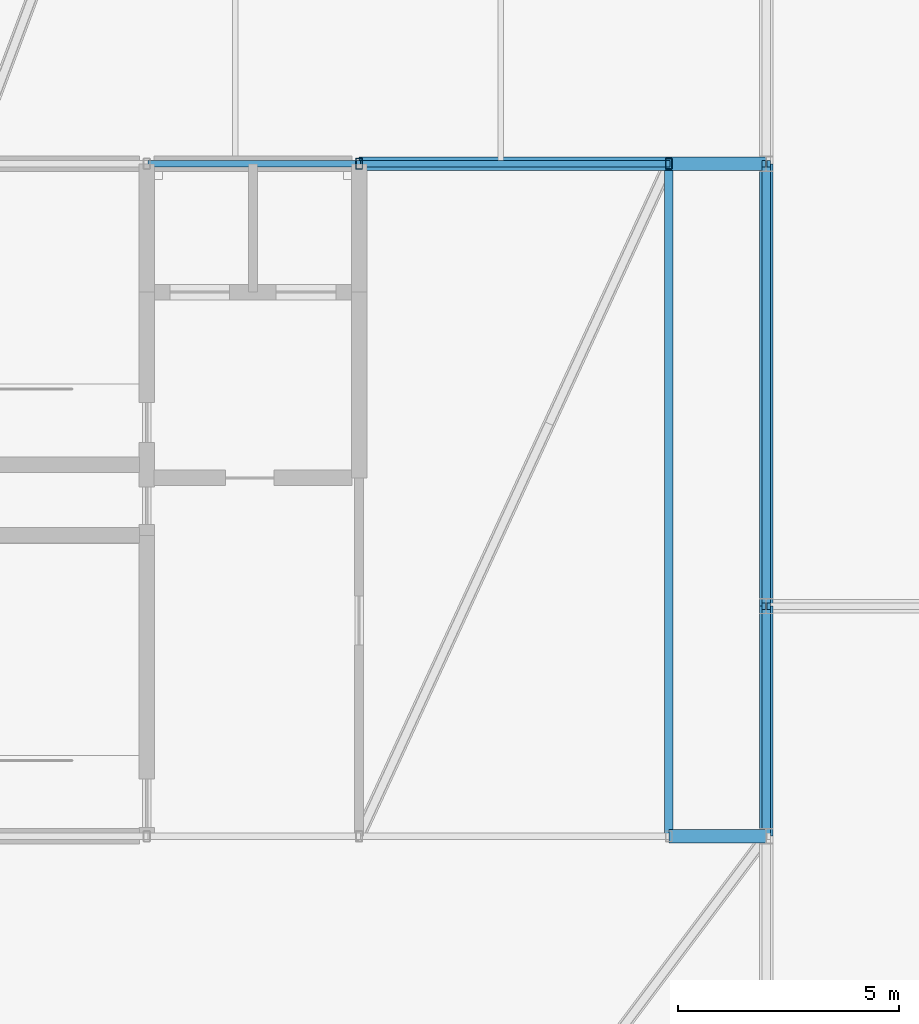
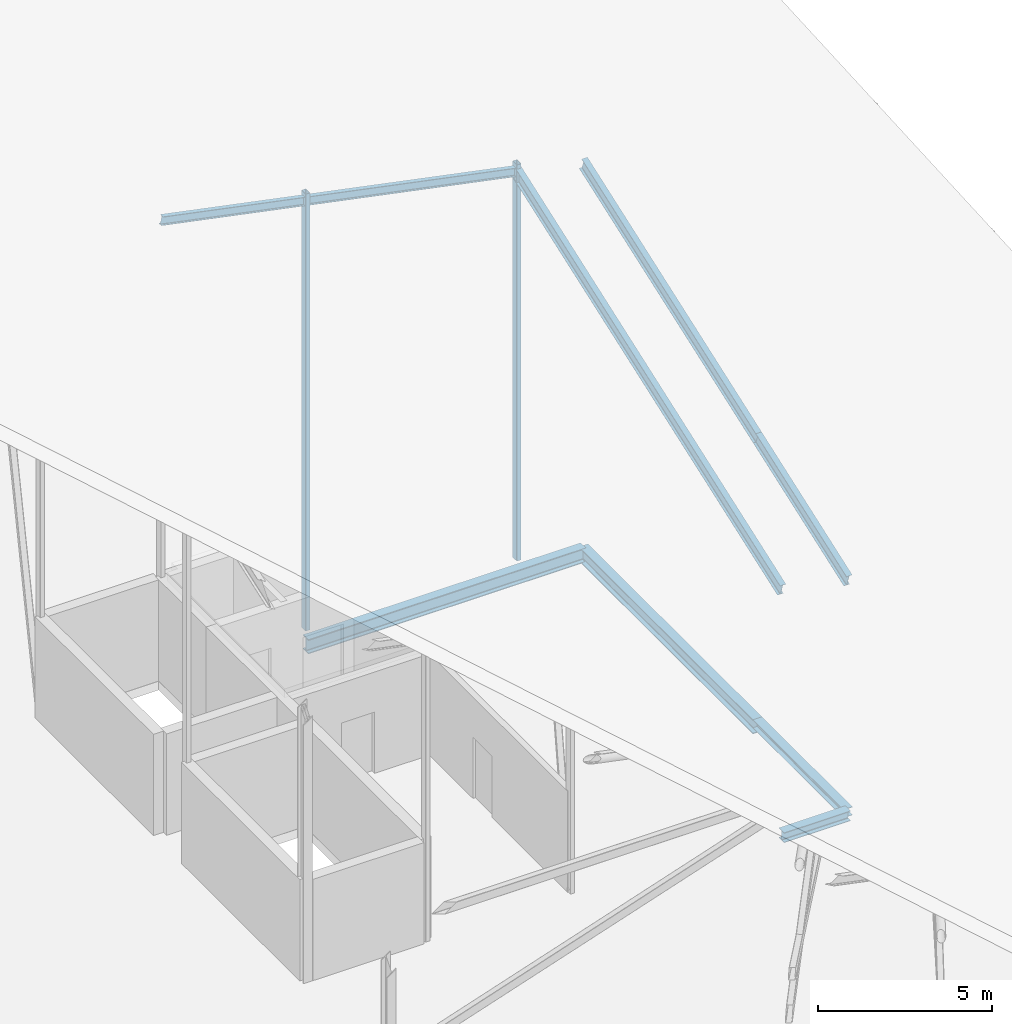
# One storey, part 19 of 74: 7 members, 4 beams.
"""IFC4 building model written with IfcOpenShell, lengths in metres."""

from ifc_helpers import new_model, si_unit, direction, frame, origin, origin_2d, place, context, subcontext, project, spatial, hollow_rectangle, i_section, extrude, material, material_profile, profile_set, type_object, element, save


model = new_model("IFC4")

# Units and contexts
model_context = context("Model", 3, precision=1e-05, world=origin(), true_north=direction((0.0, 1.0)))
body_context = subcontext(model_context, "Body", "Model", "MODEL_VIEW")
ifc_project = project(units=[si_unit("LENGTHUNIT", "METRE"), si_unit("AREAUNIT", "SQUARE_METRE"), si_unit("VOLUMEUNIT", "CUBIC_METRE"), si_unit("PLANEANGLEUNIT", "RADIAN"), si_unit("MASSUNIT", "GRAM", prefix="KILO")], contexts=[model_context])

# Site, building, storey
site_placement = place(None, origin())
site = spatial("IfcSite", under=ifc_project, at=site_placement, CompositionType="ELEMENT")
building_placement = place(site_placement, origin())
building = spatial("IfcBuilding", under=site, at=building_placement, Name="Keshet Zoharim Tower", CompositionType="ELEMENT")
storey_placement = place(building_placement, frame((0.0, 0.0, 320.0)))
storey = spatial("IfcBuildingStorey", under=building, at=storey_placement, Name="RF", CompositionType="ELEMENT", Elevation=320.0)

# Beams
ifc_material = material(Name="Steel S355", Category="steel")
ifc_material_profile_1 = material_profile(ifc_material, i_section(OverallWidth=0.300048828125, OverallDepth=0.5, WebThickness=0.014404296875, FlangeThickness=0.028076171875, FilletRadius=0.027099609375, at=origin_2d()), Name="HEB500")
ifc_profile_set_1 = profile_set([ifc_material_profile_1], Name="Steel S355")
beam_type_1 = type_object("IfcBeamType", Name="BM-MED-HB500", PredefinedType="BEAM", material=ifc_profile_set_1)
beam_1_placement = place(storey_placement, frame((23.800048828125, 37.89990234375, -0.56005859375), z_axis=(1.0, 0.0, 0.0), x_axis=(0.0, 1.0, 0.0)))
element("IfcBeam", 1, at=beam_1_placement, inside=storey, type_object=beam_type_1, Name="RF Primary Girder X-010", PredefinedType="BEAM", context=body_context, shape_type="SweptSolid", body=[
    extrude(i_section(OverallWidth=0.300048828125, OverallDepth=0.5, WebThickness=0.014404296875, FlangeThickness=0.028076171875, FilletRadius=0.027099609375, at=origin_2d()), origin(), (0.0, 0.0, 1.0), 9.199951171875),
])
beam_2_placement = place(storey_placement, frame((33.0, 27.89990234375, -0.56005859375), z_axis=(0.0, 1.0, 0.0), x_axis=(-1.0, 0.0, 0.0)))
element("IfcBeam", 2, at=beam_2_placement, inside=storey, type_object=beam_type_1, Name="RF Primary Girder Y-008", PredefinedType="BEAM", context=body_context, shape_type="SweptSolid", body=[
    extrude(i_section(OverallWidth=0.300048828125, OverallDepth=0.5, WebThickness=0.014404296875, FlangeThickness=0.028076171875, FilletRadius=0.027099609375, at=origin_2d()), origin(), (0.0, 0.0, 1.0), 10.0),
])
ifc_material_profile_2 = material_profile(ifc_material, i_section(OverallWidth=0.300048828125, OverallDepth=0.2900390625, WebThickness=0.008544921875, FlangeThickness=0.013916015625, FilletRadius=0.027099609375, at=origin_2d()), Name="HEA300")
ifc_profile_set_2 = profile_set([ifc_material_profile_2], Name="Steel S355")
beam_type_2 = type_object("IfcBeamType", Name="BM-PRI-HA300", PredefinedType="BEAM", material=ifc_profile_set_2)
beam_3_placement = place(storey_placement, frame((33.0, 22.699951171875, -0.455078125), z_axis=(0.0, 1.0, 0.0), x_axis=(-1.0, 0.0, 0.0)))
element("IfcBeam", 3, at=beam_3_placement, inside=storey, type_object=beam_type_2, Name="RF Primary Girder Y-007", PredefinedType="BEAM", context=body_context, shape_type="SweptSolid", body=[
    extrude(i_section(OverallWidth=0.300048828125, OverallDepth=0.2900390625, WebThickness=0.008544921875, FlangeThickness=0.013916015625, FilletRadius=0.027099609375, at=origin_2d()), origin(), (0.0, 0.0, 1.0), 5.199951171875),
])
ifc_material_profile_3 = material_profile(ifc_material, i_section(OverallWidth=0.300048828125, OverallDepth=0.35009765625, WebThickness=0.010009765625, FlangeThickness=0.017578125, FilletRadius=0.027099609375, at=origin_2d()), Name="HEA360")
ifc_profile_set_3 = profile_set([ifc_material_profile_3], Name="Steel S355")
beam_type_3 = type_object("IfcBeamType", Name="BM-PRI-HA360", PredefinedType="BEAM", material=ifc_profile_set_3)
beam_4_placement = place(storey_placement, frame((30.800048828125, 22.699951171875, -0.485107421875), z_axis=(1.0, 0.0, 0.0), x_axis=(0.0, 1.0, 0.0)))
element("IfcBeam", 4, at=beam_4_placement, inside=storey, type_object=beam_type_3, Name="RF Primary Girder X-007", PredefinedType="BEAM", context=body_context, shape_type="SweptSolid", body=[
    extrude(i_section(OverallWidth=0.300048828125, OverallDepth=0.35009765625, WebThickness=0.010009765625, FlangeThickness=0.017578125, FilletRadius=0.027099609375, at=origin_2d()), origin(), (0.0, 0.0, 1.0), 2.199951171875),
])

# Members
ifc_material_profile_4 = material_profile(ifc_material, hollow_rectangle(XDim=0.14990234375, YDim=0.25, WallThickness=0.010009765625, InnerFilletRadius=0.010009765625, OuterFilletRadius=0.014892578125, at=origin_2d()), Name="RHS250x150x10")
ifc_profile_set_4 = profile_set([ifc_material_profile_4], Name="Steel S355")
member_type_1 = type_object("IfcMemberType", Name="MB-PST-R250", PredefinedType="POST", material=ifc_profile_set_4)
member_1_placement = place(storey_placement, frame((23.800048828125, 37.89990234375, 0.0), z_axis=(0.0, 0.0, 1.0), x_axis=(1.0, 0.0, 0.0)))
element("IfcMember", 5, at=member_1_placement, inside=storey, type_object=member_type_1, Name="Crown Core Bearing Post 07", PredefinedType="POST", context=body_context, shape_type="SweptSolid", body=[
    extrude(hollow_rectangle(XDim=0.14990234375, YDim=0.25, WallThickness=0.010009765625, InnerFilletRadius=0.010009765625, OuterFilletRadius=0.014892578125, at=origin_2d()), origin(), (0.0, 0.0, 1.0), 15.310302734375),
])
member_2_placement = place(storey_placement, frame((30.800048828125, 37.89990234375, 0.0), z_axis=(0.0, 0.0, 1.0), x_axis=(1.0, 0.0, 0.0)))
element("IfcMember", 6, at=member_2_placement, inside=storey, type_object=member_type_1, Name="Crown Core Bearing Post 09", PredefinedType="POST", context=body_context, shape_type="SweptSolid", body=[
    extrude(hollow_rectangle(XDim=0.14990234375, YDim=0.25, WallThickness=0.010009765625, InnerFilletRadius=0.010009765625, OuterFilletRadius=0.014892578125, at=origin_2d()), origin(), (0.0, 0.0, 1.0), 13.8828125),
])
ifc_material_profile_5 = material_profile(ifc_material, i_section(OverallWidth=0.14990234375, OverallDepth=0.300048828125, WebThickness=0.007080078125, FlangeThickness=0.0107421875, FilletRadius=0.014892578125, at=origin_2d()), Name="IPE300")
ifc_profile_set_5 = profile_set([ifc_material_profile_5], Name="Steel S355")
member_type_2 = type_object("IfcMemberType", Name="MB-PUR-IP300", PredefinedType="PURLIN", material=ifc_profile_set_5)
member_3_placement = place(storey_placement, frame((19.0, 37.89990234375, 15.989501953125), z_axis=(0.979827963548, 0.0, -0.199842842878), x_axis=(0.0, 1.0, 0.0)))
element("IfcMember", 7, at=member_3_placement, inside=storey, type_object=member_type_2, Name="Crown Roof Purlin 10", PredefinedType="PURLIN", context=body_context, shape_type="SweptSolid", body=[
    extrude(i_section(OverallWidth=0.14990234375, OverallDepth=0.300048828125, WebThickness=0.007080078125, FlangeThickness=0.0107421875, FilletRadius=0.014892578125, at=origin_2d()), origin(), (0.0, 0.0, 1.0), 4.89892578125),
])
member_4_placement = place(storey_placement, frame((23.800048828125, 37.89990234375, 15.010498046875), z_axis=(0.979827007837, 0.0, -0.199847528663), x_axis=(0.0, 1.0, 0.0)))
element("IfcMember", 8, at=member_4_placement, inside=storey, type_object=member_type_2, Name="Crown Roof Purlin 11", PredefinedType="PURLIN", context=body_context, shape_type="SweptSolid", body=[
    extrude(i_section(OverallWidth=0.14990234375, OverallDepth=0.300048828125, WebThickness=0.007080078125, FlangeThickness=0.0107421875, FilletRadius=0.014892578125, at=origin_2d()), origin(), (0.0, 0.0, 1.0), 7.14404296875),
])
ifc_material_profile_6 = material_profile(ifc_material, i_section(OverallWidth=0.18994140625, OverallDepth=0.449951171875, WebThickness=0.009521484375, FlangeThickness=0.0146484375, FilletRadius=0.02099609375, at=origin_2d()), Name="IPE450")
ifc_profile_set_6 = profile_set([ifc_material_profile_6], Name="Steel S355")
member_type_3 = type_object("IfcMemberType", Name="MB-RAF-IP450", PredefinedType="RAFTER", material=ifc_profile_set_6)
member_5_placement = place(storey_placement, frame((30.800048828125, 22.699951171875, 8.123291015625), z_axis=(0.0, 0.941920794124, 0.335835104771), x_axis=(-1.0, 0.0, 0.0)))
element("IfcMember", 9, at=member_5_placement, inside=storey, type_object=member_type_3, Name="Crown Raking Rafter 08", PredefinedType="RAFTER", context=body_context, shape_type="SweptSolid", body=[
    extrude(i_section(OverallWidth=0.18994140625, OverallDepth=0.449951171875, WebThickness=0.009521484375, FlangeThickness=0.0146484375, FilletRadius=0.02099609375, at=origin_2d()), origin(), (0.0, 0.0, 1.0), 16.13720703125),
])
member_6_placement = place(storey_placement, frame((33.0, 22.699951171875, 7.674560546875), z_axis=(0.0, 0.941920874115, 0.335834880418), x_axis=(-1.0, 0.0, 0.0)))
element("IfcMember", 10, at=member_6_placement, inside=storey, type_object=member_type_3, Name="Crown Raking Rafter 12", PredefinedType="RAFTER", context=body_context, shape_type="SweptSolid", body=[
    extrude(i_section(OverallWidth=0.18994140625, OverallDepth=0.449951171875, WebThickness=0.009521484375, FlangeThickness=0.0146484375, FilletRadius=0.02099609375, at=origin_2d()), origin(), (0.0, 0.0, 1.0), 5.5205078125),
])
member_7_placement = place(storey_placement, frame((33.0, 27.89990234375, 9.528564453125), z_axis=(0.0, 0.941920752529, 0.335835221434), x_axis=(-1.0, 0.0, 0.0)))
element("IfcMember", 11, at=member_7_placement, inside=storey, type_object=member_type_3, Name="Crown Raking Rafter 13", PredefinedType="RAFTER", context=body_context, shape_type="SweptSolid", body=[
    extrude(i_section(OverallWidth=0.18994140625, OverallDepth=0.449951171875, WebThickness=0.009521484375, FlangeThickness=0.0146484375, FilletRadius=0.02099609375, at=origin_2d()), origin(), (0.0, 0.0, 1.0), 10.61669921875),
])

save(model, "model.ifc")
